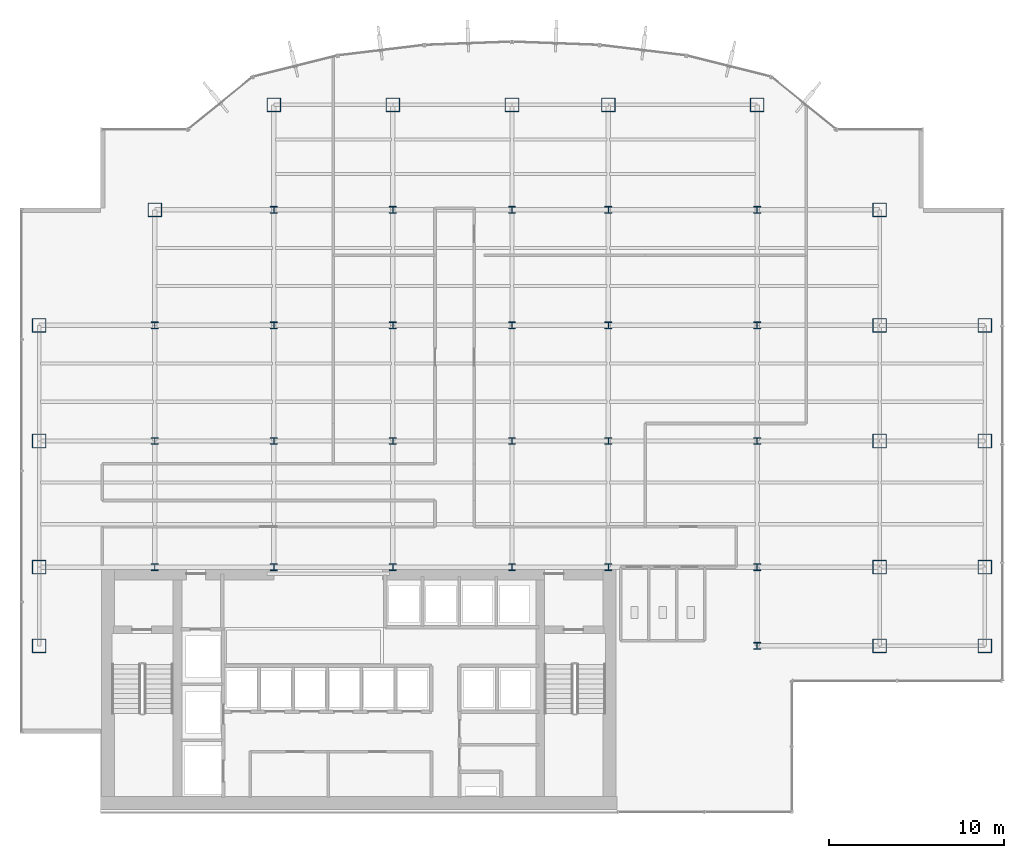
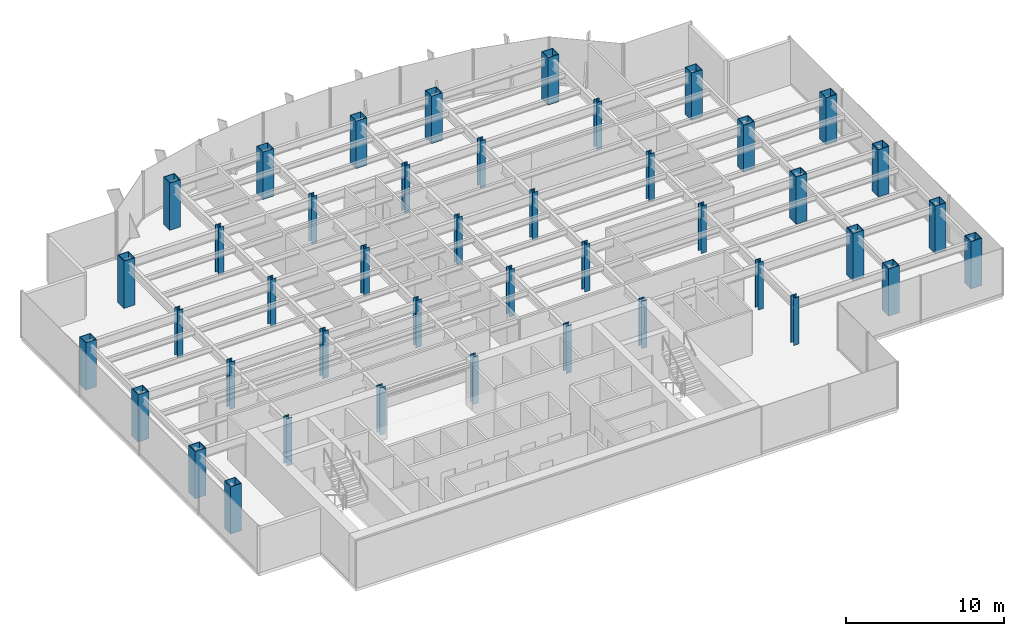
# One storey, part 1 of 26: 43 columns.
"""IFC4 building model written with IfcOpenShell, lengths in metres."""

from ifc_helpers import new_model, si_unit, derived_unit, direction, frame, origin, origin_2d, place, context, subcontext, project, spatial, hollow_rectangle, i_section, extrude, source, transform, mapped, material, material_profile, profile_set, type_object, element, save


model = new_model("IFC4")

# Units and contexts
model_context = context("Model", 3, precision=1e-05, world=origin(), true_north=direction((0.0, 1.0)))
body_context = subcontext(model_context, "Body", "Model", "MODEL_VIEW")
ifc_project = project(units=[si_unit("LENGTHUNIT", "METRE"), si_unit("AREAUNIT", "SQUARE_METRE"), si_unit("VOLUMEUNIT", "CUBIC_METRE"), si_unit("PLANEANGLEUNIT", "RADIAN"), si_unit("MASSUNIT", "GRAM", prefix="KILO"), derived_unit("THERMALTRANSMITTANCEUNIT", [(si_unit("POWERUNIT", "WATT"), 1), (si_unit("LENGTHUNIT", "METRE"), -2), (si_unit("THERMODYNAMICTEMPERATUREUNIT", "KELVIN"), -1)])], contexts=[model_context])

# Site, building, storey
site_placement = place(None, origin())
site = spatial("IfcSite", under=ifc_project, at=site_placement, CompositionType="ELEMENT")
building_placement = place(site_placement, origin())
building = spatial("IfcBuilding", under=site, at=building_placement, Name="Skarnbrae Concourse Arena and Tower", CompositionType="ELEMENT")
storey_placement = place(building_placement, frame((0.0, 0.0, 95.949951171875)))
storey = spatial("IfcBuildingStorey", under=building, at=storey_placement, Name="L23", CompositionType="ELEMENT", Elevation=95.949951171875)

# Columns
ifc_material = material(Name="Steel CSA G40.21 350W", Category="steel")
ifc_material_profile_1 = material_profile(ifc_material, hollow_rectangle(XDim=0.800048828125, YDim=0.800048828125, WallThickness=0.0400390625, at=origin_2d()), Name="BOX800X800X40")
ifc_profile_set_1 = profile_set([ifc_material_profile_1], Name="Steel CSA G40.21 350W")
column_type_1 = type_object("IfcColumnType", Name="COL-TUBE-BOX800", PredefinedType="COLUMN", material=ifc_profile_set_1)
shared_shape_1 = source(origin(), body_context, "Body", "SweptSolid", [
    extrude(hollow_rectangle(XDim=0.800048828125, YDim=0.800048828125, WallThickness=0.0400390625, at=origin_2d()), origin(), (0.0, 0.0, 1.0), 3.650146484375),
])
for number, where, z_axis, x_axis, name in (
    (1, (1.0, 9.5, 0.0), (0.0, 0.0, 1.0), (1.0, 0.0, 0.0), "L23 Tower column PC_01_01"),
    (2, (1.0, 14.0, 0.0), (0.0, 0.0, 1.0), (1.0, 0.0, 0.0), "L23 Tower column PC_01_02"),
    (3, (1.0, 21.199951171875, 0.0), (0.0, 0.0, 1.0), (1.0, 0.0, 0.0), "L23 Tower column PC_01_03"),
    (4, (1.0, 27.800048828125, 0.0), (0.0, 0.0, 1.0), (1.0, 0.0, 0.0), "L23 Tower column PC_01_04"),
    (5, (7.60009765625, 34.39990234375, 0.0), (0.0, 0.0, 1.0), (1.0, 0.0, 0.0), "L23 Tower column PC_02_05"),
    (6, (14.39990234375, 40.39990234375, 0.0), (0.0, 0.0, 1.0), (1.0, 0.0, 0.0), "L23 Tower column PC_03_06"),
    (7, (21.199951171875, 40.39990234375, 0.0), (0.0, 0.0, 1.0), (1.0, 0.0, 0.0), "L23 Tower column PC_04_06"),
    (8, (28.0, 40.39990234375, 0.0), (0.0, 0.0, 1.0), (1.0, 0.0, 0.0), "L23 Tower column PC_05_06"),
    (9, (33.5, 40.39990234375, 0.0), (0.0, 0.0, 1.0), (1.0, 0.0, 0.0), "L23 Tower column PC_06_06"),
    (10, (42.0, 40.39990234375, 0.0), (0.0, 0.0, 1.0), (1.0, 0.0, 0.0), "L23 Tower column PC_07_06"),
    (11, (49.0, 9.5, 0.0), (0.0, 0.0, 1.0), (1.0, 0.0, 0.0), "L23 Tower column PC_08_01"),
    (12, (49.0, 14.0, 0.0), (0.0, 0.0, 1.0), (1.0, 0.0, 0.0), "L23 Tower column PC_08_02"),
    (13, (49.0, 21.199951171875, 0.0), (0.0, 0.0, 1.0), (1.0, 0.0, 0.0), "L23 Tower column PC_08_03"),
    (14, (49.0, 27.800048828125, 0.0), (0.0, 0.0, 1.0), (1.0, 0.0, 0.0), "L23 Tower column PC_08_04"),
    (15, (49.0, 34.39990234375, 0.0), (0.0, 0.0, 1.0), (1.0, 0.0, 0.0), "L23 Tower column PC_08_05"),
    (16, (55.0, 9.5, 0.0), (0.0, 0.0, 1.0), (1.0, 0.0, 0.0), "L23 Tower column PC_09_01"),
    (17, (55.0, 14.0, 0.0), (0.0, 0.0, 1.0), (1.0, 0.0, 0.0), "L23 Tower column PC_09_02"),
    (18, (55.0, 21.199951171875, 0.0), (0.0, 0.0, 1.0), (1.0, 0.0, 0.0), "L23 Tower column PC_09_03"),
    (19, (55.0, 27.800048828125, 0.0), (0.0, 0.0, 1.0), (1.0, 0.0, 0.0), "L23 Tower column PC_09_04"),
):
    element("IfcColumn", number, at=place(storey_placement, frame(where, z_axis=z_axis, x_axis=x_axis)), inside=storey, type_object=column_type_1, Name=name, PredefinedType="COLUMN", context=body_context, shape_type="MappedRepresentation", body=[
        mapped(shared_shape_1, transform((0.0, 0.0, 0.0))),
    ])
ifc_material_profile_2 = material_profile(ifc_material, i_section(OverallWidth=0.39892578125, OverallDepth=0.39306640625, WebThickness=0.022705078125, FlangeThickness=0.03662109375, at=origin_2d()), Name="W360X287")
ifc_profile_set_2 = profile_set([ifc_material_profile_2], Name="Steel CSA G40.21 350W")
column_type_2 = type_object("IfcColumnType", Name="COL-INT-W360X287", PredefinedType="COLUMN", material=ifc_profile_set_2)
shared_shape_2 = source(origin(), body_context, "Body", "SweptSolid", [
    extrude(i_section(OverallWidth=0.39892578125, OverallDepth=0.39306640625, WebThickness=0.022705078125, FlangeThickness=0.03662109375, at=origin_2d()), origin(), (0.0, 0.0, 1.0), 3.650146484375),
])
for number, where, z_axis, x_axis, name in (
    (20, (7.60009765625, 14.0, 0.0), (0.0, 0.0, 1.0), (1.0, 0.0, 0.0), "L23 Tower column IC_02_02"),
    (21, (7.60009765625, 21.199951171875, 0.0), (0.0, 0.0, 1.0), (1.0, 0.0, 0.0), "L23 Tower column IC_02_03"),
    (22, (7.60009765625, 27.800048828125, 0.0), (0.0, 0.0, 1.0), (1.0, 0.0, 0.0), "L23 Tower column IC_02_04"),
    (23, (14.39990234375, 14.0, 0.0), (0.0, 0.0, 1.0), (1.0, 0.0, 0.0), "L23 Tower column IC_03_02"),
    (24, (14.39990234375, 21.199951171875, 0.0), (0.0, 0.0, 1.0), (1.0, 0.0, 0.0), "L23 Tower column IC_03_03"),
    (25, (14.39990234375, 27.800048828125, 0.0), (0.0, 0.0, 1.0), (1.0, 0.0, 0.0), "L23 Tower column IC_03_04"),
    (26, (14.39990234375, 34.39990234375, 0.0), (0.0, 0.0, 1.0), (1.0, 0.0, 0.0), "L23 Tower column IC_03_05"),
    (27, (21.199951171875, 14.0, 0.0), (0.0, 0.0, 1.0), (1.0, 0.0, 0.0), "L23 Tower column IC_04_02"),
    (28, (21.199951171875, 21.199951171875, 0.0), (0.0, 0.0, 1.0), (1.0, 0.0, 0.0), "L23 Tower column IC_04_03"),
    (29, (21.199951171875, 27.800048828125, 0.0), (0.0, 0.0, 1.0), (1.0, 0.0, 0.0), "L23 Tower column IC_04_04"),
    (30, (21.199951171875, 34.39990234375, 0.0), (0.0, 0.0, 1.0), (1.0, 0.0, 0.0), "L23 Tower column IC_04_05"),
    (31, (28.0, 14.0, 0.0), (0.0, 0.0, 1.0), (1.0, 0.0, 0.0), "L23 Tower column IC_05_02"),
    (32, (28.0, 21.199951171875, 0.0), (0.0, 0.0, 1.0), (1.0, 0.0, 0.0), "L23 Tower column IC_05_03"),
    (33, (28.0, 27.800048828125, 0.0), (0.0, 0.0, 1.0), (1.0, 0.0, 0.0), "L23 Tower column IC_05_04"),
    (34, (28.0, 34.39990234375, 0.0), (0.0, 0.0, 1.0), (1.0, 0.0, 0.0), "L23 Tower column IC_05_05"),
    (35, (33.5, 14.0, 0.0), (0.0, 0.0, 1.0), (1.0, 0.0, 0.0), "L23 Tower column IC_06_02"),
    (36, (33.5, 21.199951171875, 0.0), (0.0, 0.0, 1.0), (1.0, 0.0, 0.0), "L23 Tower column IC_06_03"),
    (37, (33.5, 27.800048828125, 0.0), (0.0, 0.0, 1.0), (1.0, 0.0, 0.0), "L23 Tower column IC_06_04"),
    (38, (33.5, 34.39990234375, 0.0), (0.0, 0.0, 1.0), (1.0, 0.0, 0.0), "L23 Tower column IC_06_05"),
    (39, (42.0, 9.5, 0.0), (0.0, 0.0, 1.0), (1.0, 0.0, 0.0), "L23 Tower column IC_07_01"),
    (40, (42.0, 14.0, 0.0), (0.0, 0.0, 1.0), (1.0, 0.0, 0.0), "L23 Tower column IC_07_02"),
    (41, (42.0, 21.199951171875, 0.0), (0.0, 0.0, 1.0), (1.0, 0.0, 0.0), "L23 Tower column IC_07_03"),
    (42, (42.0, 27.800048828125, 0.0), (0.0, 0.0, 1.0), (1.0, 0.0, 0.0), "L23 Tower column IC_07_04"),
    (43, (42.0, 34.39990234375, 0.0), (0.0, 0.0, 1.0), (1.0, 0.0, 0.0), "L23 Tower column IC_07_05"),
):
    element("IfcColumn", number, at=place(storey_placement, frame(where, z_axis=z_axis, x_axis=x_axis)), inside=storey, type_object=column_type_2, Name=name, PredefinedType="COLUMN", context=body_context, shape_type="MappedRepresentation", body=[
        mapped(shared_shape_2, transform((0.0, 0.0, 0.0))),
    ])

save(model, "model.ifc")
